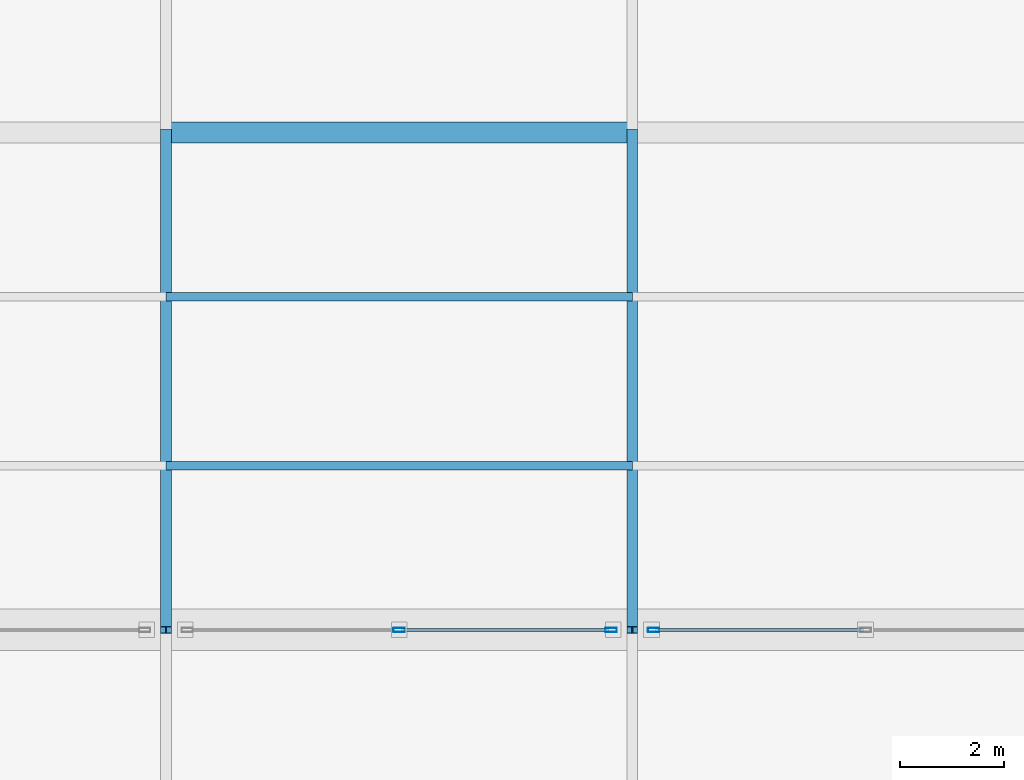
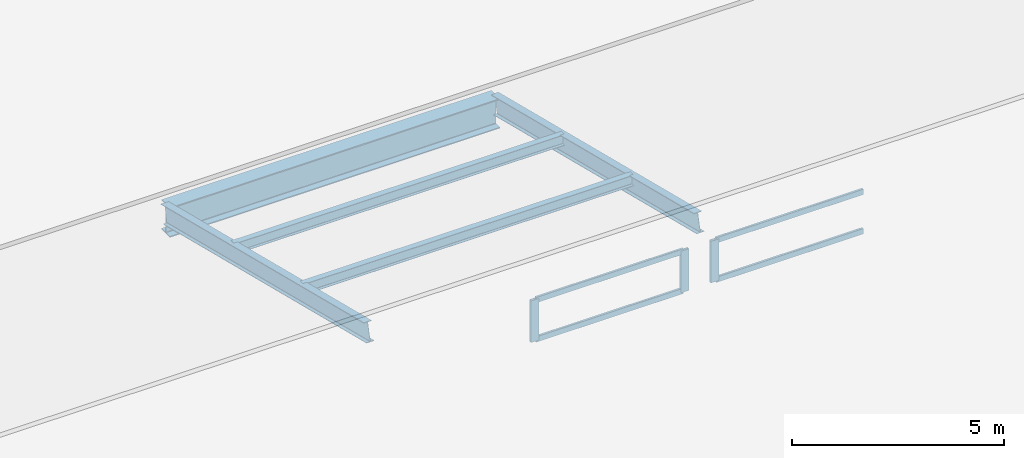
# One storey, part 12 of 36: 11 members, 1 beam, 2 elements without a shape of their own.
"""IFC4 building model written with IfcOpenShell, lengths in metres."""

from ifc_helpers import new_model, si_unit, direction, frame, origin, origin_2d, place, context, subcontext, project, spatial, hollow_rectangle, i_section, extrude, material, layer, layer_set, material_profile, profile_set, type_object, element, aggregate, save


model = new_model("IFC4")

# Units and contexts
model_context = context("Model", 3, precision=1e-05, world=origin(), true_north=direction((0.0, 1.0)))
body_context = subcontext(model_context, "Body", "Model", "MODEL_VIEW")
ifc_project = project(units=[si_unit("LENGTHUNIT", "METRE"), si_unit("AREAUNIT", "SQUARE_METRE"), si_unit("VOLUMEUNIT", "CUBIC_METRE"), si_unit("PLANEANGLEUNIT", "RADIAN"), si_unit("MASSUNIT", "GRAM", prefix="KILO")], contexts=[model_context])

# Site, building, storey
site_placement = place(None, origin())
site = spatial("IfcSite", under=ifc_project, at=site_placement, CompositionType="ELEMENT")
building_placement = place(site_placement, origin())
building = spatial("IfcBuilding", under=site, at=building_placement, Name="Qorvath Tower", CompositionType="ELEMENT")
storey_placement = place(building_placement, frame((0.0, 0.0, 27.0)))
storey = spatial("IfcBuildingStorey", under=building, at=storey_placement, Name="L05", CompositionType="ELEMENT", Elevation=27.0)

# Beam
ifc_material_1 = material(Name="Steel ASTM A992 Grade 50", Category="steel")
ifc_material_profile_1 = material_profile(ifc_material_1, i_section(OverallWidth=0.39892578125, OverallDepth=0.85498046875, WebThickness=0.018310546875, FlangeThickness=0.029296875, FilletRadius=0.02001953125, at=origin_2d()), Name="W33x201")
ifc_profile_set_1 = profile_set([ifc_material_profile_1], Name="Steel ASTM A992 Grade 50")
beam_type = type_object("IfcBeamType", Name="BM-FG2", PredefinedType="BEAM", material=ifc_profile_set_1)
beam_placement = place(storey_placement, frame((50.39990234375, 19.199951171875, -0.7275390625), z_axis=(1.0, 0.0, 0.0), x_axis=(0.0, 1.0, 0.0)))
element("IfcBeam", 1, at=beam_placement, inside=storey, type_object=beam_type, Name="Library Roof Fold Line Girder 7-3", PredefinedType="BEAM", context=body_context, shape_type="SweptSolid", body=[
    extrude(i_section(OverallWidth=0.39892578125, OverallDepth=0.85498046875, WebThickness=0.018310546875, FlangeThickness=0.029296875, FilletRadius=0.02001953125, at=origin_2d()), origin(), (0.0, 0.0, 1.0), 9.0),
])

# Curtain wall, members
ifc_material_2 = material(Name="Anodised aluminium and triple low-E glass", Category="aluminium")
ifc_layer = layer(ifc_material_2, 0.179931640625)
ifc_layer_set = layer_set([ifc_layer], Name="CW-SYS-7")
curtain_wall_type = type_object("IfcCurtainWallType", Name="CW-SYS-7", PredefinedType="NOTDEFINED", material=ifc_layer_set)
curtain_wall_1_placement = place(storey_placement, origin())
curtain_wall_1 = element("IfcCurtainWall", 2, at=curtain_wall_1_placement, inside=storey, type_object=curtain_wall_type, Name="Curtain Wall CW-7 CW-LIB-SKY-3-3", PredefinedType="NOTDEFINED")
ifc_material_3 = material(Name="Anodised aluminium 6063-T6", Category="aluminium")
ifc_material_profile_2 = material_profile(ifc_material_3, hollow_rectangle(XDim=0.080078125, YDim=0.219970703125, WallThickness=0.00439453125, InnerFilletRadius=0.00439453125, OuterFilletRadius=0.009033203125, at=origin_2d()), Name="CWM LIB 220x80")
ifc_profile_set_2 = profile_set([ifc_material_profile_2], Name="Anodised aluminium 6063-T6")
member_type_1 = type_object("IfcMemberType", Name="CWM-LIB", PredefinedType="MULLION", material=ifc_profile_set_2)
member_1_placement = place(storey_placement, frame((54.89990234375, 9.60009765625, 0.0), z_axis=(0.0, 0.0, 1.0), x_axis=(0.0, 1.0, 0.0)))
member_1 = element("IfcMember", 3, at=member_1_placement, type_object=member_type_1, Name="CW-7 mullion 2", PredefinedType="MULLION", context=body_context, shape_type="SweptSolid", body=[
    extrude(hollow_rectangle(XDim=0.080078125, YDim=0.219970703125, WallThickness=0.00439453125, InnerFilletRadius=0.00439453125, OuterFilletRadius=0.009033203125, at=origin_2d()), origin(), (0.0, 0.0, 1.0), 1.199951171875),
])
member_2_placement = place(storey_placement, frame((58.989990234375, 9.60009765625, 0.0), z_axis=(0.0, 0.0, 1.0), x_axis=(0.0, 1.0, 0.0)))
member_2 = element("IfcMember", 4, at=member_2_placement, type_object=member_type_1, Name="CW-7 mullion 3", PredefinedType="MULLION", context=body_context, shape_type="SweptSolid", body=[
    extrude(hollow_rectangle(XDim=0.080078125, YDim=0.219970703125, WallThickness=0.00439453125, InnerFilletRadius=0.00439453125, OuterFilletRadius=0.009033203125, at=origin_2d()), origin(), (0.0, 0.0, 1.0), 1.199951171875),
])

# Curtain wall, member
curtain_wall_2_placement = place(storey_placement, origin())
curtain_wall_2 = element("IfcCurtainWall", 5, at=curtain_wall_2_placement, inside=storey, type_object=curtain_wall_type, Name="Curtain Wall CW-7 CW-LIB-SKY-3-4", PredefinedType="NOTDEFINED")
member_3_placement = place(storey_placement, frame((59.81005859375, 9.60009765625, 0.0), z_axis=(0.0, 0.0, 1.0), x_axis=(0.0, 1.0, 0.0)))
member_3 = element("IfcMember", 6, at=member_3_placement, type_object=member_type_1, Name="CW-7 mullion 1", PredefinedType="MULLION", context=body_context, shape_type="SweptSolid", body=[
    extrude(hollow_rectangle(XDim=0.080078125, YDim=0.219970703125, WallThickness=0.00439453125, InnerFilletRadius=0.00439453125, OuterFilletRadius=0.009033203125, at=origin_2d()), origin(), (0.0, 0.0, 1.0), 1.199951171875),
])

# Member
ifc_material_4 = material(Name="Anodised aluminium 6063-T6", Category="aluminium")
ifc_material_profile_3 = material_profile(ifc_material_4, hollow_rectangle(XDim=0.06494140625, YDim=0.159912109375, WallThickness=0.00341796875, InnerFilletRadius=0.00341796875, OuterFilletRadius=0.007080078125, at=origin_2d()), Name="CWT 160x65")
ifc_profile_set_3 = profile_set([ifc_material_profile_3], Name="Anodised aluminium 6063-T6")
member_type_2 = type_object("IfcMemberType", Name="CWT-160", PredefinedType="USERDEFINED", material=ifc_profile_set_3)
member_4_placement = place(storey_placement, frame((54.93994140625, 9.60009765625, 0.032470703125), z_axis=(1.0, 0.0, 0.0), x_axis=(0.0, 1.0, 0.0)))
member_4 = element("IfcMember", 7, at=member_4_placement, type_object=member_type_2, Name="CW-7 transom 2.1", ObjectType="TRANSOM", PredefinedType="USERDEFINED", context=body_context, shape_type="SweptSolid", body=[
    extrude(hollow_rectangle(XDim=0.06494140625, YDim=0.159912109375, WallThickness=0.00341796875, InnerFilletRadius=0.00341796875, OuterFilletRadius=0.007080078125, at=origin_2d()), origin(), (0.0, 0.0, 1.0), 4.010009765625),
])

member_5_placement = place(storey_placement, frame((54.93994140625, 9.60009765625, 1.16748046875), z_axis=(1.0, 0.0, 0.0), x_axis=(0.0, 1.0, 0.0)))
member_5 = element("IfcMember", 8, at=member_5_placement, type_object=member_type_2, Name="CW-7 transom 2.2", ObjectType="TRANSOM", PredefinedType="USERDEFINED", context=body_context, shape_type="SweptSolid", body=[
    extrude(hollow_rectangle(XDim=0.06494140625, YDim=0.159912109375, WallThickness=0.00341796875, InnerFilletRadius=0.00341796875, OuterFilletRadius=0.007080078125, at=origin_2d()), origin(), (0.0, 0.0, 1.0), 4.010009765625),
])

aggregate(curtain_wall_1, [member_1, member_2, member_4, member_5])

member_6_placement = place(storey_placement, frame((59.85009765625, 9.60009765625, 0.032470703125), z_axis=(1.0, 0.0, 0.0), x_axis=(0.0, 1.0, 0.0)))
member_6 = element("IfcMember", 9, at=member_6_placement, type_object=member_type_2, Name="CW-7 transom 1.1", ObjectType="TRANSOM", PredefinedType="USERDEFINED", context=body_context, shape_type="SweptSolid", body=[
    extrude(hollow_rectangle(XDim=0.06494140625, YDim=0.159912109375, WallThickness=0.00341796875, InnerFilletRadius=0.00341796875, OuterFilletRadius=0.007080078125, at=origin_2d()), origin(), (0.0, 0.0, 1.0), 4.010009765625),
])

member_7_placement = place(storey_placement, frame((59.85009765625, 9.60009765625, 1.16748046875), z_axis=(1.0, 0.0, 0.0), x_axis=(0.0, 1.0, 0.0)))
member_7 = element("IfcMember", 10, at=member_7_placement, type_object=member_type_2, Name="CW-7 transom 1.2", ObjectType="TRANSOM", PredefinedType="USERDEFINED", context=body_context, shape_type="SweptSolid", body=[
    extrude(hollow_rectangle(XDim=0.06494140625, YDim=0.159912109375, WallThickness=0.00341796875, InnerFilletRadius=0.00341796875, OuterFilletRadius=0.007080078125, at=origin_2d()), origin(), (0.0, 0.0, 1.0), 4.010009765625),
])

aggregate(curtain_wall_2, [member_3, member_6, member_7])

# Members
ifc_material_5 = material(Name="Steel ASTM A992 Grade 50", Category="steel")
ifc_material_profile_4 = material_profile(ifc_material_5, i_section(OverallWidth=0.1650390625, OverallDepth=0.31005859375, WebThickness=0.005859375, FlangeThickness=0.009765625, FilletRadius=0.010009765625, at=origin_2d()), Name="W12x26")
ifc_profile_set_4 = profile_set([ifc_material_profile_4], Name="Steel ASTM A992 Grade 50")
member_type_3 = type_object("IfcMemberType", Name="MEM-PR1", PredefinedType="PURLIN", material=ifc_profile_set_4)
for number, where, z_axis, x_axis, name in (
    (11, (50.39990234375, 12.76806640625, 1.1708984375), (1.0, 0.0, 0.0), (0.0, 1.0, 0.0), "Library Folded Roof Purlin F6-P1-3"),
    (12, (50.39990234375, 16.031982421875, 0.357177734375), (1.0, 0.0, 0.0), (0.0, 1.0, 0.0), "Library Folded Roof Purlin F6-P2-3"),
):
    element("IfcMember", number, at=place(storey_placement, frame(where, z_axis=z_axis, x_axis=x_axis)), inside=storey, type_object=member_type_3, Name=name, PredefinedType="PURLIN", context=body_context, shape_type="SweptSolid", body=[
        extrude(i_section(OverallWidth=0.1650390625, OverallDepth=0.31005859375, WebThickness=0.005859375, FlangeThickness=0.009765625, FilletRadius=0.010009765625, at=origin_2d()), origin(), (0.0, 0.0, 1.0), 9.0),
    ])
ifc_material_6 = material(Name="Steel ASTM A992 Grade 50", Category="steel")
ifc_material_profile_5 = material_profile(ifc_material_6, i_section(OverallWidth=0.208984375, OverallDepth=0.532958984375, WebThickness=0.01025390625, FlangeThickness=0.015625, FilletRadius=0.013916015625, at=origin_2d()), Name="W21x62")
ifc_profile_set_5 = profile_set([ifc_material_profile_5], Name="Steel ASTM A992 Grade 50")
member_type_4 = type_object("IfcMemberType", Name="MEM-RF1", PredefinedType="RAFTER", material=ifc_profile_set_5)
for number, where, z_axis, x_axis, name in (
    (13, (50.39990234375, 9.60009765625, 1.829345703125), (0.0, 0.970294720706, -0.241925928684), (-1.0, 0.0, 0.0), "Library Folded Roof Rafter F6-3"),
    (14, (59.39990234375, 9.60009765625, 1.829345703125), (0.0, 0.970294720706, -0.241925928684), (-1.0, 0.0, 0.0), "Library Folded Roof Rafter F6-4"),
):
    element("IfcMember", number, at=place(storey_placement, frame(where, z_axis=z_axis, x_axis=x_axis)), inside=storey, type_object=member_type_4, Name=name, PredefinedType="RAFTER", context=body_context, shape_type="SweptSolid", body=[
        extrude(i_section(OverallWidth=0.208984375, OverallDepth=0.532958984375, WebThickness=0.01025390625, FlangeThickness=0.015625, FilletRadius=0.013916015625, at=origin_2d()), origin(), (0.0, 0.0, 1.0), 9.893798828125),
    ])

save(model, "model.ifc")
